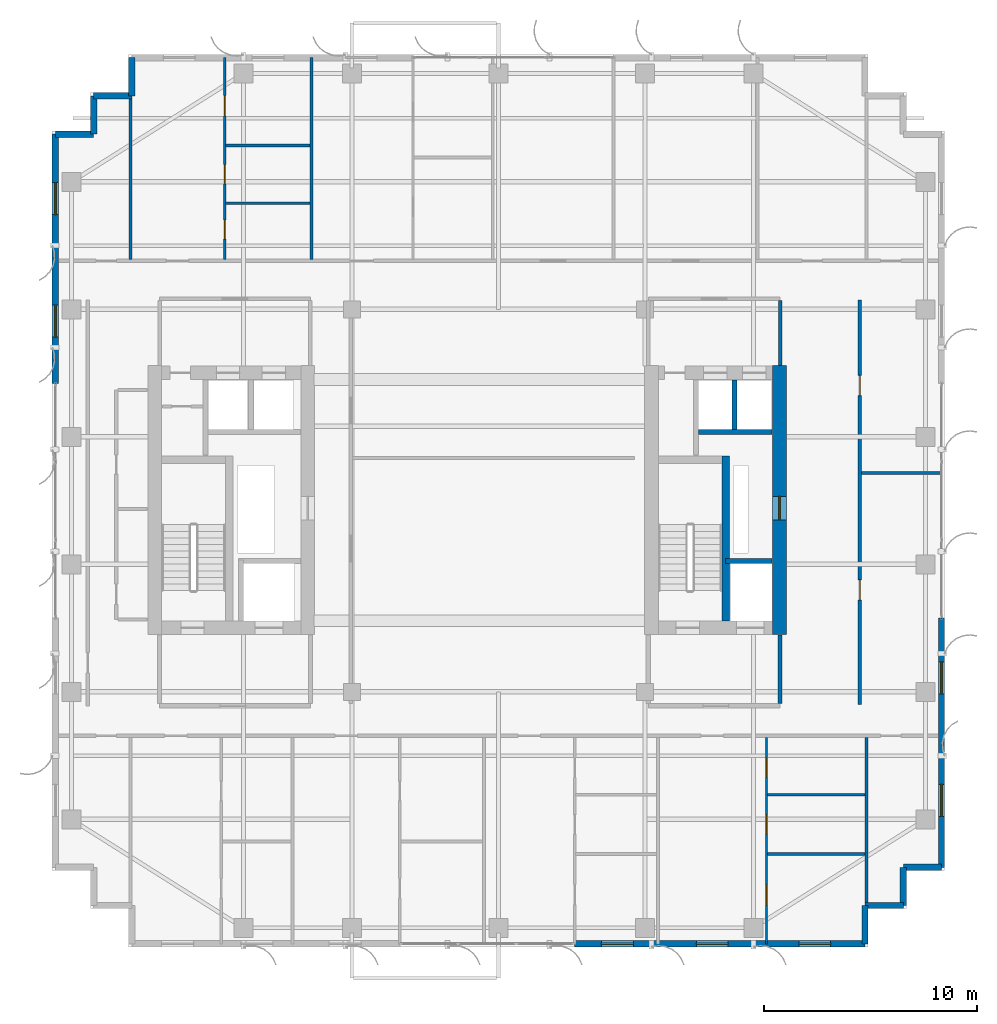
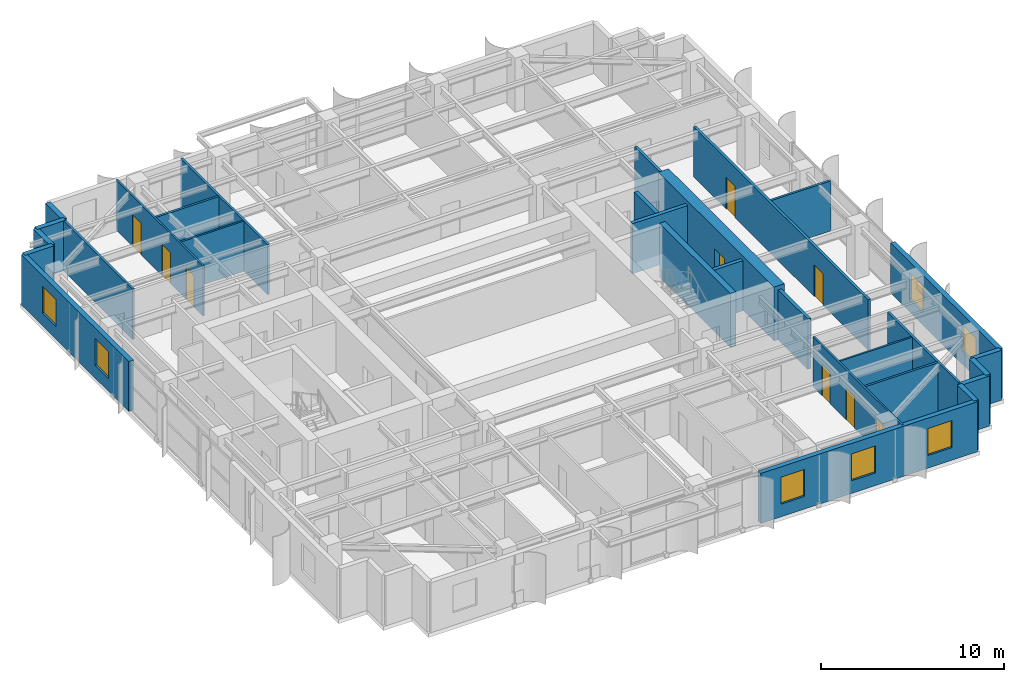
# One storey, part 16 of 21: 29 walls, 9 doors, 7 windows, 16 openings.
"""IFC4 building model written with IfcOpenShell, lengths in metres."""

from ifc_helpers import new_model, si_unit, direction, frame, frame_2d, origin, place, context, subcontext, project, spatial, rectangle, extrude, source, transform, mapped, material, layer, layer_set, type_object, element, fill, save


model = new_model("IFC4")

# Units and contexts
model_context = context("Model", 3, precision=1e-05, world=origin(), true_north=direction((0.0, 1.0)))
body_context = subcontext(model_context, "Body", "Model", "MODEL_VIEW")
ifc_project = project(units=[si_unit("LENGTHUNIT", "METRE"), si_unit("AREAUNIT", "SQUARE_METRE"), si_unit("VOLUMEUNIT", "CUBIC_METRE"), si_unit("PLANEANGLEUNIT", "RADIAN"), si_unit("MASSUNIT", "GRAM", prefix="KILO")], contexts=[model_context])

# Site, building, storey
site_placement = place(None, origin())
site = spatial("IfcSite", under=ifc_project, at=site_placement, CompositionType="ELEMENT")
building_placement = place(site_placement, origin())
building = spatial("IfcBuilding", under=site, at=building_placement, Name="Khoralis Quay Care Tower", CompositionType="ELEMENT")
storey_placement = place(building_placement, frame((0.0, 0.0, 159.300048828125)))
storey = spatial("IfcBuildingStorey", under=building, at=storey_placement, Name="L41", CompositionType="ELEMENT", Elevation=159.300048828125)

# Wall
ifc_material_1 = material(Name="Gypsum plasterboard on acoustic metal stud")
ifc_layer_1 = layer(ifc_material_1, 0.199951171875)
ifc_layer_set_1 = layer_set([ifc_layer_1], Name="Gypsum plasterboard on acoustic metal stud")
wall_type_1 = type_object("IfcWallType", Name="WL-COMP-200", PredefinedType="PARTITIONING", material=ifc_layer_set_1)
wall_1_placement = place(storey_placement, frame((37.25, 11.445068359375, 0.0), z_axis=(0.0, 0.0, 1.0), x_axis=(0.0, 1.0, 0.0)))
element("IfcWall", 1, at=wall_1_placement, inside=storey, type_object=wall_type_1, Name="L41 East Firefighting Lobby East Wall", PredefinedType="PARTITIONING", context=body_context, shape_type="SweptSolid", body=[
    extrude(rectangle(XDim=3.23486328125, YDim=0.199951171875, at=frame_2d((1.617431640625, 0.0))), origin(), (0.0, 0.0, 1.0), 3.33984375),
])

# Wall, opening, door
ifc_material_2 = material(Name="Concrete C65/80", Category="concrete")
ifc_layer_2 = layer(ifc_material_2, 0.64990234375)
ifc_layer_set_2 = layer_set([ifc_layer_2], Name="Concrete C65/80")
wall_type_2 = type_object("IfcWallType", Name="WL-CORE-650", PredefinedType="SHEAR", material=ifc_layer_set_2)
wall_2_placement = place(storey_placement, frame((37.22509765625, 14.699951171875, 0.0), z_axis=(0.0, 0.0, 1.0), x_axis=(0.0, 1.0, 0.0)))
wall_2 = element("IfcWall", 2, at=wall_2_placement, inside=storey, type_object=wall_type_2, Name="L41 ECORE East Shear Wall", PredefinedType="SHEAR", context=body_context, shape_type="SweptSolid", body=[
    extrude(rectangle(XDim=12.650146484375, YDim=0.64990234375, at=frame_2d((6.3251953125, 0.0))), origin(), (0.0, 0.0, 1.0), 3.599853515625),
])
opening_1_placement = place(wall_2_placement, frame((5.39990234375, 0.0, 0.0)))
opening_1 = element("IfcOpeningElement", 3, at=opening_1_placement, cuts=wall_2, Name="Opening SD1", PredefinedType="OPENING", context=body_context, shape_type="SweptSolid", body=[
    extrude(rectangle(XDim=1.10009765625, YDim=2.199951171875, at=frame_2d((0.550048828125, 1.10009765625))), frame((0.0, 0.3349609375, 0.0), z_axis=(0.0, -1.0, 0.0), x_axis=(1.0, 0.0, 0.0)), (0.0, 0.0, 1.0), 0.669921875),
])
ifc_material_3 = material(Name="Fire-rated painted steel", Category="steel")
door_type_1 = type_object("IfcDoorType", Name="DR-STAIR-1100X2200", OperationType="NOTDEFINED", PredefinedType="DOOR", material=ifc_material_3)
shared_shape_1 = source(origin(), body_context, "Body", "SweptSolid", [
    extrude(rectangle(XDim=1.10009765625, YDim=2.199951171875, at=frame_2d((0.550048828125, 1.10009765625))), frame((0.0, 0.02490234375, 0.0), z_axis=(0.0, -1.0, 0.0), x_axis=(1.0, 0.0, 0.0)), (0.0, 0.0, 1.0), 0.050048828125),
])
door_1_placement = place(opening_1_placement, frame((1.10009765625, 0.0, 0.0), z_axis=(0.0, 0.0, 1.0), x_axis=(-1.0, 0.0, 0.0)))
door_1 = element("IfcDoor", 4, at=door_1_placement, inside=storey, type_object=door_type_1, Name="L41 East MEP Riser Door", OperationType="SINGLE_SWING_RIGHT", OverallHeight=2.199951171875, OverallWidth=1.10009765625, PredefinedType="DOOR", context=body_context, shape_type="MappedRepresentation", body=[
    mapped(shared_shape_1, transform((0.0, 0.0, 0.0), scale=1.0)),
])
fill(opening_1, door_1)

# Wall
ifc_layer_3 = layer(ifc_material_1, 0.1650390625)
ifc_layer_set_3 = layer_set([ifc_layer_3], Name="Gypsum plasterboard on acoustic metal stud")
wall_type_3 = type_object("IfcWallType", Name="WL-CORR-165", PredefinedType="PARTITIONING", material=ifc_layer_set_3)
wall_3_placement = place(storey_placement, frame((37.25, 27.3701171875, 0.0), z_axis=(0.0, 0.0, 1.0), x_axis=(0.0, 1.0, 0.0)))
element("IfcWall", 5, at=wall_3_placement, inside=storey, type_object=wall_type_3, Name="L41 East Lift Lobby East Wall", PredefinedType="PARTITIONING", context=body_context, shape_type="SweptSolid", body=[
    extrude(rectangle(XDim=3.052490234375, YDim=0.1650390625, at=frame_2d((1.5263671875, 0.0))), origin(), (0.0, 0.0, 1.0), 3.33984375),
])

# Wall, openings, doors
wall_4_placement = place(storey_placement, frame((41.0, 11.39990234375, 0.0), z_axis=(0.0, 0.0, 1.0), x_axis=(0.0, 1.0, 0.0)))
wall_4 = element("IfcWall", 6, at=wall_4_placement, inside=storey, type_object=wall_type_3, Name="L41 East Gallery Wall", PredefinedType="PARTITIONING", context=body_context, shape_type="SweptSolid", body=[
    extrude(rectangle(XDim=19.050048828125, YDim=0.1650390625, at=frame_2d((9.52490234375, 0.0))), origin(), (0.0, 0.0, 1.0), 3.33984375),
])
opening_2_placement = place(wall_4_placement, frame((4.925048828125, 0.0, 0.0)))
opening_2 = element("IfcOpeningElement", 7, at=opening_2_placement, cuts=wall_4, Name="Opening ID1", PredefinedType="OPENING", context=body_context, shape_type="SweptSolid", body=[
    extrude(rectangle(XDim=0.949951171875, YDim=2.10009765625, at=frame_2d((0.47509765625, 1.050048828125))), frame((0.0, 0.092529296875, 0.0), z_axis=(0.0, -1.0, 0.0), x_axis=(1.0, 0.0, 0.0)), (0.0, 0.0, 1.0), 0.18505859375),
])
opening_3_placement = place(wall_4_placement, frame((14.550048828125, 0.0, 0.0)))
opening_3 = element("IfcOpeningElement", 8, at=opening_3_placement, cuts=wall_4, Name="Opening ID1", PredefinedType="OPENING", context=body_context, shape_type="SweptSolid", body=[
    extrude(rectangle(XDim=0.949951171875, YDim=2.10009765625, at=frame_2d((0.47509765625, 1.050048828125))), frame((0.0, 0.092529296875, 0.0), z_axis=(0.0, -1.0, 0.0), x_axis=(1.0, 0.0, 0.0)), (0.0, 0.0, 1.0), 0.18505859375),
])
ifc_material_4 = material(Name="Acoustic hardwood timber", Category="wood")
door_type_2 = type_object("IfcDoorType", Name="DR-ROOM-950X2100", OperationType="NOTDEFINED", PredefinedType="DOOR", material=ifc_material_4)
shared_shape_2 = source(origin(), body_context, "Body", "SweptSolid", [
    extrude(rectangle(XDim=0.949951171875, YDim=2.10009765625, at=frame_2d((0.47509765625, 1.050048828125))), frame((0.0, 0.02490234375, 0.0), z_axis=(0.0, -1.0, 0.0), x_axis=(1.0, 0.0, 0.0)), (0.0, 0.0, 1.0), 0.050048828125),
])
door_2_placement = place(opening_2_placement, origin())
door_2 = element("IfcDoor", 9, at=door_2_placement, inside=storey, type_object=door_type_2, Name="L41 East Clinic Door", OperationType="SINGLE_SWING_LEFT", OverallHeight=2.10009765625, OverallWidth=0.949951171875, PredefinedType="DOOR", context=body_context, shape_type="MappedRepresentation", body=[
    mapped(shared_shape_2, transform((0.0, 0.0, 0.0), scale=1.0)),
])
fill(opening_2, door_2)
door_3_placement = place(opening_3_placement, origin())
door_3 = element("IfcDoor", 10, at=door_3_placement, inside=storey, type_object=door_type_2, Name="L41 East Lounge Door", OperationType="SINGLE_SWING_RIGHT", OverallHeight=2.10009765625, OverallWidth=0.949951171875, PredefinedType="DOOR", context=body_context, shape_type="MappedRepresentation", body=[
    mapped(shared_shape_2, transform((0.0, 0.0, 0.0), scale=1.0)),
])
fill(opening_3, door_3)

# Wall, openings, windows
ifc_material_5 = material(Name="Precast concrete C45/55", Category="concrete")
ifc_layer_4 = layer(ifc_material_5, 0.300048828125)
ifc_layer_set_4 = layer_set([ifc_layer_4], Name="Precast concrete C45/55")
wall_type_4 = type_object("IfcWallType", Name="WL-EXT-REF-300", PredefinedType="SOLIDWALL", material=ifc_layer_set_4)
wall_5_placement = place(storey_placement, frame((27.5791015625, 0.14990234375, 0.0), z_axis=(0.0, 0.0, 1.0), x_axis=(1.0, 0.0, 0.0)))
wall_5 = element("IfcWall", 11, at=wall_5_placement, inside=storey, type_object=wall_type_4, Name="L41 External Facade Wall WL-EXT-L41-P1-E0B", PredefinedType="SOLIDWALL", context=body_context, shape_type="SweptSolid", body=[
    extrude(rectangle(XDim=13.6708984375, YDim=0.300048828125, at=frame_2d((6.83544921875, 0.0))), origin(), (0.0, 0.0, 1.0), 3.33984375),
])
opening_4_placement = place(wall_5_placement, frame((1.265380859375, 0.0, 0.85009765625)))
opening_4 = element("IfcOpeningElement", 12, at=opening_4_placement, cuts=wall_5, Name="Opening W3", PredefinedType="OPENING", context=body_context, shape_type="SweptSolid", body=[
    extrude(rectangle(XDim=1.5, YDim=1.800048828125, at=frame_2d((0.75, 0.89990234375))), frame((0.0, 0.16015625, 0.0), z_axis=(0.0, -1.0, 0.0), x_axis=(1.0, 0.0, 0.0)), (0.0, 0.0, 1.0), 0.320068359375),
])
opening_5_placement = place(wall_5_placement, frame((5.7314453125, 0.0, 0.85009765625)))
opening_5 = element("IfcOpeningElement", 13, at=opening_5_placement, cuts=wall_5, Name="Opening W3", PredefinedType="OPENING", context=body_context, shape_type="SweptSolid", body=[
    extrude(rectangle(XDim=1.5, YDim=1.800048828125, at=frame_2d((0.75, 0.89990234375))), frame((0.0, 0.16015625, 0.0), z_axis=(0.0, -1.0, 0.0), x_axis=(1.0, 0.0, 0.0)), (0.0, 0.0, 1.0), 0.320068359375),
])
opening_6_placement = place(wall_5_placement, frame((10.551513671875, 0.0, 0.85009765625)))
opening_6 = element("IfcOpeningElement", 14, at=opening_6_placement, cuts=wall_5, Name="Opening W3", PredefinedType="OPENING", context=body_context, shape_type="SweptSolid", body=[
    extrude(rectangle(XDim=1.5, YDim=1.800048828125, at=frame_2d((0.75, 0.89990234375))), frame((0.0, 0.16015625, 0.0), z_axis=(0.0, -1.0, 0.0), x_axis=(1.0, 0.0, 0.0)), (0.0, 0.0, 1.0), 0.320068359375),
])
ifc_material_6 = material(Name="Low-E solar-control double glazing", Category="glass")
window_type = type_object("IfcWindowType", Name="WN-CLIN-1500X1800", PartitioningType="SINGLE_PANEL", PredefinedType="WINDOW", material=ifc_material_6)
shared_shape_3 = source(origin(), body_context, "Body", "SweptSolid", [
    extrude(rectangle(XDim=1.5, YDim=1.800048828125, at=frame_2d((0.75, 0.89990234375))), frame((0.0, 0.030029296875, 0.0), z_axis=(0.0, -1.0, 0.0), x_axis=(1.0, 0.0, 0.0)), (0.0, 0.0, 1.0), 0.06005859375),
])
window_1_placement = place(opening_4_placement, origin())
window_1 = element("IfcWindow", 15, at=window_1_placement, inside=storey, type_object=window_type, Name="WN-L41-P1-E0B Facade Window 01", OverallHeight=1.800048828125, OverallWidth=1.5, PartitioningType="SINGLE_PANEL", PredefinedType="WINDOW", context=body_context, shape_type="MappedRepresentation", body=[
    mapped(shared_shape_3, transform((0.0, 0.0, 0.0), scale=1.0)),
])
fill(opening_4, window_1)
window_2_placement = place(opening_5_placement, origin())
window_2 = element("IfcWindow", 16, at=window_2_placement, inside=storey, type_object=window_type, Name="WN-L41-P1-E0B Facade Window 02", OverallHeight=1.800048828125, OverallWidth=1.5, PartitioningType="SINGLE_PANEL", PredefinedType="WINDOW", context=body_context, shape_type="MappedRepresentation", body=[
    mapped(shared_shape_3, transform((0.0, 0.0, 0.0), scale=1.0)),
])
fill(opening_5, window_2)
window_3_placement = place(opening_6_placement, origin())
window_3 = element("IfcWindow", 17, at=window_3_placement, inside=storey, type_object=window_type, Name="WN-L41-P1-E0B Facade Window 03", OverallHeight=1.800048828125, OverallWidth=1.5, PartitioningType="SINGLE_PANEL", PredefinedType="WINDOW", context=body_context, shape_type="MappedRepresentation", body=[
    mapped(shared_shape_3, transform((0.0, 0.0, 0.0), scale=1.0)),
])
fill(opening_6, window_3)

# Walls
for number, where, z_axis, x_axis, name in (
    (18, (41.25, 0.14990234375, 0.0), (0.0, 0.0, 1.0), (0.0, 1.0, 0.0), "L41 External Facade Wall WL-EXT-L41-P1-C1"),
    (19, (41.25, 1.949951171875, 0.0), (0.0, 0.0, 1.0), (1.0, 0.0, 0.0), "L41 External Facade Wall WL-EXT-L41-P1-C2"),
    (20, (43.050048828125, 1.949951171875, 0.0), (0.0, 0.0, 1.0), (0.0, 1.0, 0.0), "L41 External Facade Wall WL-EXT-L41-P1-C3"),
    (21, (43.050048828125, 3.75, 0.0), (0.0, 0.0, 1.0), (1.0, 0.0, 0.0), "L41 External Facade Wall WL-EXT-L41-P1-C4"),
):
    element("IfcWall", number, at=place(storey_placement, frame(where, z_axis=z_axis, x_axis=x_axis)), inside=storey, type_object=wall_type_4, Name=name, PredefinedType="SOLIDWALL", context=body_context, shape_type="SweptSolid", body=[
        extrude(rectangle(XDim=1.800048828125, YDim=0.300048828125, at=frame_2d((0.89990234375, 0.0))), origin(), (0.0, 0.0, 1.0), 3.33984375),
    ])

# Wall, openings, windows
wall_6_placement = place(storey_placement, frame((44.85009765625, 3.75, 0.0), z_axis=(0.0, 0.0, 1.0), x_axis=(0.0, 1.0, 0.0)))
wall_6 = element("IfcWall", 22, at=wall_6_placement, inside=storey, type_object=wall_type_4, Name="L41 External Facade Wall WL-EXT-L41-P1-E5A", PredefinedType="SOLIDWALL", context=body_context, shape_type="SweptSolid", body=[
    extrude(rectangle(XDim=11.72998046875, YDim=0.300048828125, at=frame_2d((5.864990234375, 0.0))), origin(), (0.0, 0.0, 1.0), 3.33984375),
])
opening_7_placement = place(wall_6_placement, frame((2.39501953125, 0.0, 0.85009765625)))
opening_7 = element("IfcOpeningElement", 23, at=opening_7_placement, cuts=wall_6, Name="Opening W3", PredefinedType="OPENING", context=body_context, shape_type="SweptSolid", body=[
    extrude(rectangle(XDim=1.5, YDim=1.800048828125, at=frame_2d((0.75, 0.89990234375))), frame((0.0, 0.16015625, 0.0), z_axis=(0.0, -1.0, 0.0), x_axis=(1.0, 0.0, 0.0)), (0.0, 0.0, 1.0), 0.320068359375),
])
opening_8_placement = place(wall_6_placement, frame((8.159912109375, 0.0, 0.85009765625)))
opening_8 = element("IfcOpeningElement", 24, at=opening_8_placement, cuts=wall_6, Name="Opening W3", PredefinedType="OPENING", context=body_context, shape_type="SweptSolid", body=[
    extrude(rectangle(XDim=1.5, YDim=1.800048828125, at=frame_2d((0.75, 0.89990234375))), frame((0.0, 0.16015625, 0.0), z_axis=(0.0, -1.0, 0.0), x_axis=(1.0, 0.0, 0.0)), (0.0, 0.0, 1.0), 0.320068359375),
])
window_4_placement = place(opening_7_placement, origin())
window_4 = element("IfcWindow", 25, at=window_4_placement, inside=storey, type_object=window_type, Name="WN-L41-P1-E5A Facade Window 01", OverallHeight=1.800048828125, OverallWidth=1.5, PartitioningType="SINGLE_PANEL", PredefinedType="WINDOW", context=body_context, shape_type="MappedRepresentation", body=[
    mapped(shared_shape_3, transform((0.0, 0.0, 0.0), scale=1.0)),
])
fill(opening_7, window_4)
window_5_placement = place(opening_8_placement, origin())
window_5 = element("IfcWindow", 26, at=window_5_placement, inside=storey, type_object=window_type, Name="WN-L41-P1-E5A Facade Window 02", OverallHeight=1.800048828125, OverallWidth=1.5, PartitioningType="SINGLE_PANEL", PredefinedType="WINDOW", context=body_context, shape_type="MappedRepresentation", body=[
    mapped(shared_shape_3, transform((0.0, 0.0, 0.0), scale=1.0)),
])
fill(opening_8, window_5)

# Walls
for number, where, z_axis, x_axis, name in (
    (27, (6.75, 41.85009765625, 0.0), (0.0, 0.0, 1.0), (0.0, -1.0, 0.0), "L41 External Facade Wall WL-EXT-L41-P1-C11"),
    (28, (6.75, 40.050048828125, 0.0), (0.0, 0.0, 1.0), (-1.0, 0.0, 0.0), "L41 External Facade Wall WL-EXT-L41-P1-C12"),
    (29, (4.949951171875, 40.050048828125, 0.0), (0.0, 0.0, 1.0), (0.0, -1.0, 0.0), "L41 External Facade Wall WL-EXT-L41-P1-C13"),
    (30, (4.949951171875, 38.25, 0.0), (0.0, 0.0, 1.0), (-1.0, 0.0, 0.0), "L41 External Facade Wall WL-EXT-L41-P1-C14"),
):
    element("IfcWall", number, at=place(storey_placement, frame(where, z_axis=z_axis, x_axis=x_axis)), inside=storey, type_object=wall_type_4, Name=name, PredefinedType="SOLIDWALL", context=body_context, shape_type="SweptSolid", body=[
        extrude(rectangle(XDim=1.800048828125, YDim=0.300048828125, at=frame_2d((0.89990234375, 0.0))), origin(), (0.0, 0.0, 1.0), 3.33984375),
    ])

# Wall, openings, windows
wall_7_placement = place(storey_placement, frame((3.14990234375, 38.25, 0.0), z_axis=(0.0, 0.0, 1.0), x_axis=(0.0, -1.0, 0.0)))
wall_7 = element("IfcWall", 31, at=wall_7_placement, inside=storey, type_object=wall_type_4, Name="L41 External Facade Wall WL-EXT-L41-P1-E15A", PredefinedType="SOLIDWALL", context=body_context, shape_type="SweptSolid", body=[
    extrude(rectangle(XDim=11.72998046875, YDim=0.300048828125, at=frame_2d((5.864990234375, 0.0))), origin(), (0.0, 0.0, 1.0), 3.33984375),
])
opening_9_placement = place(wall_7_placement, frame((2.284912109375, 0.0, 0.85009765625)))
opening_9 = element("IfcOpeningElement", 32, at=opening_9_placement, cuts=wall_7, Name="Opening W3", PredefinedType="OPENING", context=body_context, shape_type="SweptSolid", body=[
    extrude(rectangle(XDim=1.5, YDim=1.800048828125, at=frame_2d((0.75, 0.89990234375))), frame((0.0, 0.16015625, 0.0), z_axis=(0.0, -1.0, 0.0), x_axis=(1.0, 0.0, 0.0)), (0.0, 0.0, 1.0), 0.320068359375),
])
opening_10_placement = place(wall_7_placement, frame((8.050048828125, 0.0, 0.85009765625)))
opening_10 = element("IfcOpeningElement", 33, at=opening_10_placement, cuts=wall_7, Name="Opening W3", PredefinedType="OPENING", context=body_context, shape_type="SweptSolid", body=[
    extrude(rectangle(XDim=1.5, YDim=1.800048828125, at=frame_2d((0.75, 0.89990234375))), frame((0.0, 0.16015625, 0.0), z_axis=(0.0, -1.0, 0.0), x_axis=(1.0, 0.0, 0.0)), (0.0, 0.0, 1.0), 0.320068359375),
])
window_6_placement = place(opening_9_placement, origin())
window_6 = element("IfcWindow", 34, at=window_6_placement, inside=storey, type_object=window_type, Name="WN-L41-P1-E15A Facade Window 01", OverallHeight=1.800048828125, OverallWidth=1.5, PartitioningType="SINGLE_PANEL", PredefinedType="WINDOW", context=body_context, shape_type="MappedRepresentation", body=[
    mapped(shared_shape_3, transform((0.0, 0.0, 0.0), scale=1.0)),
])
fill(opening_9, window_6)
window_7_placement = place(opening_10_placement, origin())
window_7 = element("IfcWindow", 35, at=window_7_placement, inside=storey, type_object=window_type, Name="WN-L41-P1-E15A Facade Window 02", OverallHeight=1.800048828125, OverallWidth=1.5, PartitioningType="SINGLE_PANEL", PredefinedType="WINDOW", context=body_context, shape_type="MappedRepresentation", body=[
    mapped(shared_shape_3, transform((0.0, 0.0, 0.0), scale=1.0)),
])
fill(opening_10, window_7)

# Wall, openings, doors
ifc_layer_5 = layer(ifc_material_1, 0.114990234375)
ifc_layer_set_5 = layer_set([ifc_layer_5], Name="Gypsum plasterboard on acoustic metal stud")
wall_type_5 = type_object("IfcWallType", Name="WL-PART-115", PredefinedType="PARTITIONING", material=ifc_layer_set_5)
wall_8_placement = place(storey_placement, frame((36.611083984375, 0.14501953125, 0.0), z_axis=(0.0, 0.0, 1.0), x_axis=(0.0, 1.0, 0.0)))
wall_8 = element("IfcWall", 36, at=wall_8_placement, inside=storey, type_object=wall_type_5, Name="L41 Unit 3 Internal Wall", PredefinedType="PARTITIONING", context=body_context, shape_type="SweptSolid", body=[
    extrude(rectangle(XDim=9.717529296875, YDim=0.114990234375, at=frame_2d((4.85888671875, 0.0))), origin(), (0.0, 0.0, 1.0), 3.33984375),
])
opening_11_placement = place(wall_8_placement, frame((1.842041015625, 0.0, 0.0)))
opening_11 = element("IfcOpeningElement", 37, at=opening_11_placement, cuts=wall_8, Name="Opening ID1", PredefinedType="OPENING", context=body_context, shape_type="SweptSolid", body=[
    extrude(rectangle(XDim=0.949951171875, YDim=2.10009765625, at=frame_2d((0.47509765625, 1.050048828125))), frame((0.0, 0.0673828125, 0.0), z_axis=(0.0, -1.0, 0.0), x_axis=(1.0, 0.0, 0.0)), (0.0, 0.0, 1.0), 0.135009765625),
])
opening_12_placement = place(wall_8_placement, frame((5.17041015625, 0.0, 0.0)))
opening_12 = element("IfcOpeningElement", 38, at=opening_12_placement, cuts=wall_8, Name="Opening WD1", PredefinedType="OPENING", context=body_context, shape_type="SweptSolid", body=[
    extrude(rectangle(XDim=0.89990234375, YDim=2.10009765625, at=frame_2d((0.449951171875, 1.050048828125))), frame((0.0, 0.0673828125, 0.0), z_axis=(0.0, -1.0, 0.0), x_axis=(1.0, 0.0, 0.0)), (0.0, 0.0, 1.0), 0.135009765625),
])
opening_13_placement = place(wall_8_placement, frame((7.83837890625, 0.0, 0.0)))
opening_13 = element("IfcOpeningElement", 39, at=opening_13_placement, cuts=wall_8, Name="Opening WD1", PredefinedType="OPENING", context=body_context, shape_type="SweptSolid", body=[
    extrude(rectangle(XDim=0.89990234375, YDim=2.10009765625, at=frame_2d((0.449951171875, 1.050048828125))), frame((0.0, 0.0673828125, 0.0), z_axis=(0.0, -1.0, 0.0), x_axis=(1.0, 0.0, 0.0)), (0.0, 0.0, 1.0), 0.135009765625),
])
door_type_3 = type_object("IfcDoorType", Name="DR-BATH-900X2100", OperationType="NOTDEFINED", PredefinedType="DOOR", material=ifc_material_4)
shared_shape_4 = source(origin(), body_context, "Body", "SweptSolid", [
    extrude(rectangle(XDim=0.89990234375, YDim=2.10009765625, at=frame_2d((0.449951171875, 1.050048828125))), frame((0.0, 0.02490234375, 0.0), z_axis=(0.0, -1.0, 0.0), x_axis=(1.0, 0.0, 0.0)), (0.0, 0.0, 1.0), 0.050048828125),
])
door_4_placement = place(opening_12_placement, frame((0.89990234375, 0.0, 0.0), z_axis=(0.0, 0.0, 1.0), x_axis=(-1.0, 0.0, 0.0)))
door_4 = element("IfcDoor", 40, at=door_4_placement, inside=storey, type_object=door_type_3, Name="L41 Apartment SB3 KIT Door", OperationType="SINGLE_SWING_RIGHT", OverallHeight=2.10009765625, OverallWidth=0.89990234375, PredefinedType="DOOR", context=body_context, shape_type="MappedRepresentation", body=[
    mapped(shared_shape_4, transform((0.0, 0.0, 0.0), scale=1.0)),
])
fill(opening_12, door_4)
door_5_placement = place(opening_13_placement, frame((0.89990234375, 0.0, 0.0), z_axis=(0.0, 0.0, 1.0), x_axis=(-1.0, 0.0, 0.0)))
door_5 = element("IfcDoor", 41, at=door_5_placement, inside=storey, type_object=door_type_3, Name="L41 Apartment SB3 BTH Door", OperationType="SINGLE_SWING_LEFT", OverallHeight=2.10009765625, OverallWidth=0.89990234375, PredefinedType="DOOR", context=body_context, shape_type="MappedRepresentation", body=[
    mapped(shared_shape_4, transform((0.0, 0.0, 0.0), scale=1.0)),
])
fill(opening_13, door_5)
door_6_placement = place(opening_11_placement, frame((0.949951171875, 0.0, 0.0), z_axis=(0.0, 0.0, 1.0), x_axis=(-1.0, 0.0, 0.0)))
door_6 = element("IfcDoor", 42, at=door_6_placement, inside=storey, type_object=door_type_2, Name="L41 Apartment SB3 BED Door", OperationType="SINGLE_SWING_LEFT", OverallHeight=2.10009765625, OverallWidth=0.949951171875, PredefinedType="DOOR", context=body_context, shape_type="MappedRepresentation", body=[
    mapped(shared_shape_2, transform((0.0, 0.0, 0.0), scale=1.0)),
])
fill(opening_11, door_6)

# Wall
wall_9_placement = place(storey_placement, frame((36.66357421875, 7.156982421875, 0.0), z_axis=(0.0, 0.0, 1.0), x_axis=(1.0, 0.0, 0.0)))
element("IfcWall", 43, at=wall_9_placement, inside=storey, type_object=wall_type_5, Name="L41 Unit 3 Kitchen Wall", PredefinedType="PARTITIONING", context=body_context, shape_type="SweptSolid", body=[
    extrude(rectangle(XDim=4.59130859375, YDim=0.114990234375, at=frame_2d((2.295654296875, 0.0))), origin(), (0.0, 0.0, 1.0), 3.33984375),
])

# Wall, openings, doors
wall_10_placement = place(storey_placement, frame((11.110107421875, 32.357421875, 0.0), z_axis=(0.0, 0.0, 1.0), x_axis=(0.0, 1.0, 0.0)))
wall_10 = element("IfcWall", 44, at=wall_10_placement, inside=storey, type_object=wall_type_5, Name="L41 Unit 0 Internal Wall", PredefinedType="PARTITIONING", context=body_context, shape_type="SweptSolid", body=[
    extrude(rectangle(XDim=9.49755859375, YDim=0.114990234375, at=frame_2d((4.748779296875, 0.0))), origin(), (0.0, 0.0, 1.0), 3.33984375),
])
opening_14_placement = place(wall_10_placement, frame((6.75390625, 0.0, 0.0)))
opening_14 = element("IfcOpeningElement", 45, at=opening_14_placement, cuts=wall_10, Name="Opening ID1", PredefinedType="OPENING", context=body_context, shape_type="SweptSolid", body=[
    extrude(rectangle(XDim=0.949951171875, YDim=2.10009765625, at=frame_2d((0.47509765625, 1.050048828125))), frame((0.0, 0.0673828125, 0.0), z_axis=(0.0, -1.0, 0.0), x_axis=(1.0, 0.0, 0.0)), (0.0, 0.0, 1.0), 0.135009765625),
])
opening_15_placement = place(wall_10_placement, frame((3.554931640625, 0.0, 0.0)))
opening_15 = element("IfcOpeningElement", 46, at=opening_15_placement, cuts=wall_10, Name="Opening WD1", PredefinedType="OPENING", context=body_context, shape_type="SweptSolid", body=[
    extrude(rectangle(XDim=0.89990234375, YDim=2.10009765625, at=frame_2d((0.449951171875, 1.050048828125))), frame((0.0, 0.0673828125, 0.0), z_axis=(0.0, -1.0, 0.0), x_axis=(1.0, 0.0, 0.0)), (0.0, 0.0, 1.0), 0.135009765625),
])
opening_16_placement = place(wall_10_placement, frame((0.948486328125, 0.0, 0.0)))
opening_16 = element("IfcOpeningElement", 47, at=opening_16_placement, cuts=wall_10, Name="Opening WD1", PredefinedType="OPENING", context=body_context, shape_type="SweptSolid", body=[
    extrude(rectangle(XDim=0.89990234375, YDim=2.10009765625, at=frame_2d((0.449951171875, 1.050048828125))), frame((0.0, 0.0673828125, 0.0), z_axis=(0.0, -1.0, 0.0), x_axis=(1.0, 0.0, 0.0)), (0.0, 0.0, 1.0), 0.135009765625),
])
door_7_placement = place(opening_15_placement, frame((0.89990234375, 0.0, 0.0), z_axis=(0.0, 0.0, 1.0), x_axis=(-1.0, 0.0, 0.0)))
door_7 = element("IfcDoor", 48, at=door_7_placement, inside=storey, type_object=door_type_3, Name="L41 Apartment NB0 KIT Door", OperationType="SINGLE_SWING_LEFT", OverallHeight=2.10009765625, OverallWidth=0.89990234375, PredefinedType="DOOR", context=body_context, shape_type="MappedRepresentation", body=[
    mapped(shared_shape_4, transform((0.0, 0.0, 0.0), scale=1.0)),
])
fill(opening_15, door_7)
door_8_placement = place(opening_16_placement, frame((0.89990234375, 0.0, 0.0), z_axis=(0.0, 0.0, 1.0), x_axis=(-1.0, 0.0, 0.0)))
door_8 = element("IfcDoor", 49, at=door_8_placement, inside=storey, type_object=door_type_3, Name="L41 Apartment NB0 BTH Door", OperationType="SINGLE_SWING_RIGHT", OverallHeight=2.10009765625, OverallWidth=0.89990234375, PredefinedType="DOOR", context=body_context, shape_type="MappedRepresentation", body=[
    mapped(shared_shape_4, transform((0.0, 0.0, 0.0), scale=1.0)),
])
fill(opening_16, door_8)
door_9_placement = place(opening_14_placement, frame((0.949951171875, 0.0, 0.0), z_axis=(0.0, 0.0, 1.0), x_axis=(-1.0, 0.0, 0.0)))
door_9 = element("IfcDoor", 50, at=door_9_placement, inside=storey, type_object=door_type_2, Name="L41 Apartment NB0 BED Door", OperationType="SINGLE_SWING_RIGHT", OverallHeight=2.10009765625, OverallWidth=0.949951171875, PredefinedType="DOOR", context=body_context, shape_type="MappedRepresentation", body=[
    mapped(shared_shape_2, transform((0.0, 0.0, 0.0), scale=1.0)),
])
fill(opening_14, door_9)

# Walls
wall_11_placement = place(storey_placement, frame((11.16259765625, 35.001953125, 0.0), z_axis=(0.0, 0.0, 1.0), x_axis=(1.0, 0.0, 0.0)))
element("IfcWall", 51, at=wall_11_placement, inside=storey, type_object=wall_type_5, Name="L41 Unit 0 Kitchen Wall", PredefinedType="PARTITIONING", context=body_context, shape_type="SweptSolid", body=[
    extrude(rectangle(XDim=3.972412109375, YDim=0.114990234375, at=frame_2d((1.986328125, 0.0))), origin(), (0.0, 0.0, 1.0), 3.33984375),
])
ifc_material_7 = material(Name="Moisture-resistant gypsum and ceramic tile")
ifc_layer_6 = layer(ifc_material_7, 0.280029296875)
ifc_layer_set_6 = layer_set([ifc_layer_6], Name="Moisture-resistant gypsum and ceramic tile")
wall_type_6 = type_object("IfcWallType", Name="WL-PLUMB-280", PredefinedType="PLUMBINGWALL", material=ifc_layer_set_6)
wall_12_placement = place(storey_placement, frame((36.66357421875, 4.3740234375, 0.0), z_axis=(0.0, 0.0, 1.0), x_axis=(1.0, 0.0, 0.0)))
element("IfcWall", 52, at=wall_12_placement, inside=storey, type_object=wall_type_6, Name="L41 Unit 3 Wet Wall", PredefinedType="PLUMBINGWALL", context=body_context, shape_type="SweptSolid", body=[
    extrude(rectangle(XDim=4.59130859375, YDim=0.139892578125, at=frame_2d((2.295654296875, 0.0))), origin(), (0.0, 0.0, 1.0), 3.33984375),
])
wall_13_placement = place(storey_placement, frame((11.16259765625, 37.722900390625, 0.0), z_axis=(0.0, 0.0, 1.0), x_axis=(1.0, 0.0, 0.0)))
element("IfcWall", 53, at=wall_13_placement, inside=storey, type_object=wall_type_6, Name="L41 Unit 0 Wet Wall", PredefinedType="PLUMBINGWALL", context=body_context, shape_type="SweptSolid", body=[
    extrude(rectangle(XDim=3.972412109375, YDim=0.139892578125, at=frame_2d((1.986328125, 0.0))), origin(), (0.0, 0.0, 1.0), 3.33984375),
])
ifc_material_8 = material(Name="Concrete C40/50", Category="concrete")
ifc_layer_7 = layer(ifc_material_8, 0.35009765625)
ifc_layer_set_7 = layer_set([ifc_layer_7], Name="Concrete C40/50")
wall_type_7 = type_object("IfcWallType", Name="WL-SC-CORE-350", PredefinedType="SHEAR", material=ifc_layer_set_7)
wall_14_placement = place(storey_placement, frame((34.695068359375, 15.35009765625, 0.0), z_axis=(0.0, 0.0, 1.0), x_axis=(0.0, 1.0, 0.0)))
element("IfcWall", 54, at=wall_14_placement, inside=storey, type_object=wall_type_7, Name="L41 Stair ST-T2 Shear Baffle Wall East", PredefinedType="SHEAR", context=body_context, shape_type="SweptSolid", body=[
    extrude(rectangle(XDim=7.75, YDim=0.35009765625, at=frame_2d((3.875, 0.0))), origin(), (0.0, 0.0, 1.0), 3.599853515625),
])
ifc_layer_8 = layer(ifc_material_1, 0.239990234375)
ifc_layer_set_8 = layer_set([ifc_layer_8], Name="Gypsum plasterboard on acoustic metal stud")
wall_type_8 = type_object("IfcWallType", Name="WL-SHAFT-240", PredefinedType="PARTITIONING", material=ifc_layer_set_8)
wall_15_placement = place(storey_placement, frame((34.679931640625, 18.169921875, 0.0), z_axis=(0.0, 0.0, 1.0), x_axis=(1.0, 0.0, 0.0)))
element("IfcWall", 55, at=wall_15_placement, inside=storey, type_object=wall_type_8, Name="L41 FFL-2 Shaft Wall North", PredefinedType="PARTITIONING", context=body_context, shape_type="SweptSolid", body=[
    extrude(rectangle(XDim=2.199951171875, YDim=0.239990234375, at=frame_2d((1.10009765625, 0.0))), origin(), (0.0, 0.0, 1.0), 3.33984375),
])
wall_16_placement = place(storey_placement, frame((33.405029296875, 24.22998046875, 0.0), z_axis=(0.0, 0.0, 1.0), x_axis=(1.0, 0.0, 0.0)))
element("IfcWall", 56, at=wall_16_placement, inside=storey, type_object=wall_type_8, Name="L41 Active Shaft South Wall East", PredefinedType="PARTITIONING", context=body_context, shape_type="SweptSolid", body=[
    extrude(rectangle(XDim=3.474853515625, YDim=0.239990234375, at=frame_2d((1.7373046875, 0.0))), origin(), (0.0, 0.0, 1.0), 3.33984375),
])
wall_17_placement = place(storey_placement, frame((35.110107421875, 24.344970703125, 0.0), z_axis=(0.0, 0.0, 1.0), x_axis=(0.0, 1.0, 0.0)))
element("IfcWall", 57, at=wall_17_placement, inside=storey, type_object=wall_type_8, Name="L41 East Shaft Divider 2", PredefinedType="PARTITIONING", context=body_context, shape_type="SweptSolid", body=[
    extrude(rectangle(XDim=2.3349609375, YDim=0.239990234375, at=frame_2d((1.16748046875, 0.0))), origin(), (0.0, 0.0, 1.0), 3.33984375),
])
ifc_layer_9 = layer(ifc_material_1, 0.139892578125)
ifc_layer_set_9 = layer_set([ifc_layer_9], Name="Gypsum plasterboard on acoustic metal stud")
wall_type_9 = type_object("IfcWallType", Name="WL-UNIT-140", PredefinedType="PARTITIONING", material=ifc_layer_set_9)
wall_18_placement = place(storey_placement, frame((41.077392578125, 22.300048828125, 0.0), z_axis=(0.0, 0.0, 1.0), x_axis=(1.0, 0.0, 0.0)))
element("IfcWall", 58, at=wall_18_placement, inside=storey, type_object=wall_type_9, Name="L41 East Mid Split", PredefinedType="PARTITIONING", context=body_context, shape_type="SweptSolid", body=[
    extrude(rectangle(XDim=3.777587890625, YDim=0.139892578125, at=frame_2d((1.888671875, 0.0))), origin(), (0.0, 0.0, 1.0), 3.33984375),
])
wall_19_placement = place(storey_placement, frame((41.320068359375, 1.945068359375, 0.0), z_axis=(0.0, 0.0, 1.0), x_axis=(0.0, 1.0, 0.0)))
element("IfcWall", 59, at=wall_19_placement, inside=storey, type_object=wall_type_9, Name="L41 SB Demising Wall 4", PredefinedType="PARTITIONING", context=body_context, shape_type="SweptSolid", body=[
    extrude(rectangle(XDim=7.91748046875, YDim=0.139892578125, at=frame_2d((3.958740234375, 0.0))), origin(), (0.0, 0.0, 1.0), 3.33984375),
])
wall_20_placement = place(storey_placement, frame((6.679931640625, 32.357421875, 0.0), z_axis=(0.0, 0.0, 1.0), x_axis=(0.0, 1.0, 0.0)))
element("IfcWall", 60, at=wall_20_placement, inside=storey, type_object=wall_type_9, Name="L41 NB Demising Wall 0", PredefinedType="PARTITIONING", context=body_context, shape_type="SweptSolid", body=[
    extrude(rectangle(XDim=7.697509765625, YDim=0.139892578125, at=frame_2d((3.8486328125, 0.0))), origin(), (0.0, 0.0, 1.0), 3.33984375),
])
wall_21_placement = place(storey_placement, frame((15.199951171875, 32.357421875, 0.0), z_axis=(0.0, 0.0, 1.0), x_axis=(0.0, 1.0, 0.0)))
element("IfcWall", 61, at=wall_21_placement, inside=storey, type_object=wall_type_9, Name="L41 NB Demising Wall 1", PredefinedType="PARTITIONING", context=body_context, shape_type="SweptSolid", body=[
    extrude(rectangle(XDim=9.49755859375, YDim=0.139892578125, at=frame_2d((4.748779296875, 0.0))), origin(), (0.0, 0.0, 1.0), 3.33984375),
])

save(model, "model.ifc")
